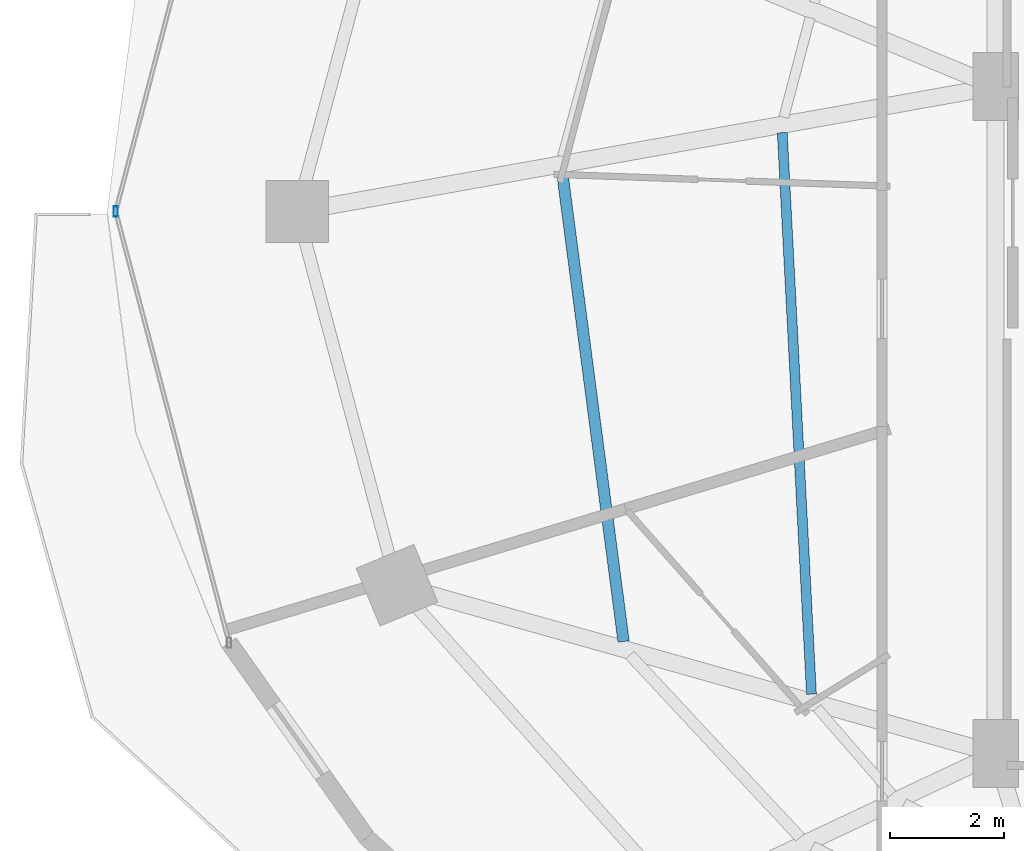
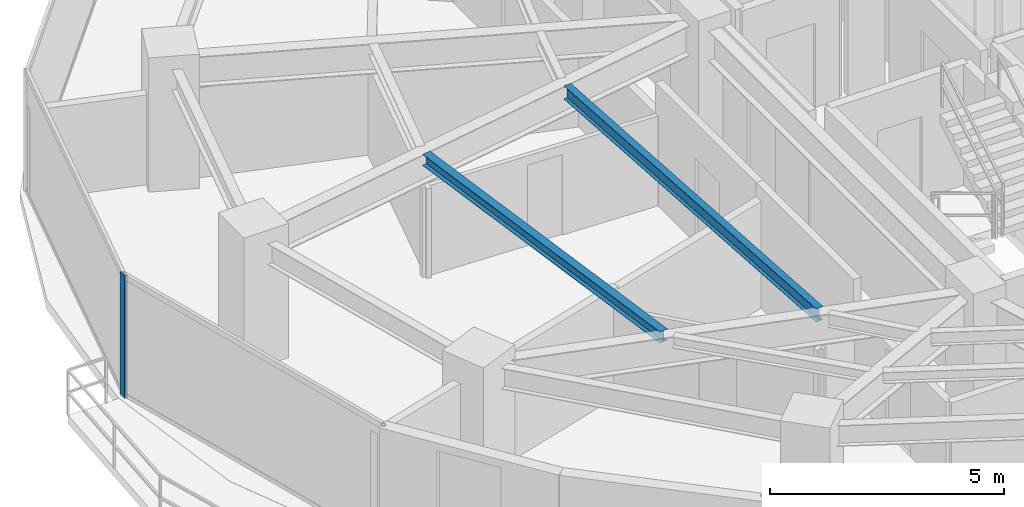
# One storey, part 7 of 29: 2 beams, 1 member, 1 element without a shape of its own.
"""IFC4 building model written with IfcOpenShell, lengths in metres."""

from ifc_helpers import new_model, si_unit, direction, frame, origin, origin_2d, place, context, subcontext, project, spatial, hollow_rectangle, i_section, extrude, material, material_profile, profile_set, type_object, element, aggregate, save


model = new_model("IFC4")

# Units and contexts
model_context = context("Model", 3, precision=1e-05, world=origin(), true_north=direction((0.0, 1.0)))
body_context = subcontext(model_context, "Body", "Model", "MODEL_VIEW")
ifc_project = project(units=[si_unit("LENGTHUNIT", "METRE"), si_unit("AREAUNIT", "SQUARE_METRE"), si_unit("VOLUMEUNIT", "CUBIC_METRE"), si_unit("PLANEANGLEUNIT", "RADIAN"), si_unit("MASSUNIT", "GRAM", prefix="KILO")], contexts=[model_context])

# Site, building, storey
site_placement = place(None, origin())
site = spatial("IfcSite", under=ifc_project, at=site_placement, CompositionType="ELEMENT")
building_placement = place(site_placement, origin())
building = spatial("IfcBuilding", under=site, at=building_placement, Name="Vorneva Point Tower", CompositionType="ELEMENT")
storey_placement = place(building_placement, frame((0.0, 0.0, 120.800048828125)))
storey = spatial("IfcBuildingStorey", under=building, at=storey_placement, Name="L32", CompositionType="ELEMENT", Elevation=120.800048828125)

# Beams
ifc_material_1 = material(Name="Steel S355", Category="steel")
ifc_material_profile_1 = material_profile(ifc_material_1, i_section(OverallWidth=0.199951171875, OverallDepth=0.291015625, WebThickness=0.008056640625, FlangeThickness=0.010986328125, at=origin_2d()), Name="30Sh1")
ifc_profile_set_1 = profile_set([ifc_material_profile_1], Name="Steel S355")
beam_type_1 = type_object("IfcBeamType", Name="BM-SEC-30Sh1", PredefinedType="BEAM", material=ifc_profile_set_1)
beam_1_placement = place(storey_placement, frame((19.614501953125, 26.694091796875, 3.00439453125), z_axis=(0.129791026269, -0.991541370544, 0.0), x_axis=(0.991541370544, 0.129791026269, 0.0)))
element("IfcBeam", 1, at=beam_1_placement, inside=storey, type_object=beam_type_1, Name="L32 Secondary Floor Beam 1.09", PredefinedType="BEAM", context=body_context, shape_type="SweptSolid", body=[
    extrude(i_section(OverallWidth=0.199951171875, OverallDepth=0.291015625, WebThickness=0.008056640625, FlangeThickness=0.010986328125, at=origin_2d()), origin(), (0.0, 0.0, 1.0), 8.338623046875),
])
ifc_material_profile_2 = material_profile(ifc_material_1, i_section(OverallWidth=0.174072265625, OverallDepth=0.345947265625, WebThickness=0.006103515625, FlangeThickness=0.009033203125, at=origin_2d()), Name="35B1")
ifc_profile_set_2 = profile_set([ifc_material_profile_2], Name="Steel S355")
beam_type_2 = type_object("IfcBeamType", Name="BM-SEC-35B1", PredefinedType="BEAM", material=ifc_profile_set_2)
beam_2_placement = place(storey_placement, frame((23.49169921875, 27.388671875, 2.97705078125), z_axis=(0.051893745783, -0.998652611847, 0.0), x_axis=(0.998652611847, 0.051893745783, 0.0)))
element("IfcBeam", 2, at=beam_2_placement, inside=storey, type_object=beam_type_2, Name="L32 Secondary Floor Beam 2.09", PredefinedType="BEAM", context=body_context, shape_type="SweptSolid", body=[
    extrude(i_section(OverallWidth=0.174072265625, OverallDepth=0.345947265625, WebThickness=0.006103515625, FlangeThickness=0.009033203125, at=origin_2d()), origin(), (0.0, 0.0, 1.0), 9.9033203125),
])

# Curtain wall, member
ifc_material_2 = material(Name="Pale anodised aluminium", Category="aluminium")
curtain_wall_type = type_object("IfcCurtainWallType", Name="CW-HTL-SYS", PredefinedType="NOTDEFINED", material=ifc_material_2)
curtain_wall_placement = place(storey_placement, origin())
curtain_wall = element("IfcCurtainWall", 3, at=curtain_wall_placement, inside=storey, type_object=curtain_wall_type, Name="L32 Unitised Curtain Wall CW-L32-R02", PredefinedType="NOTDEFINED")
ifc_material_profile_3 = material_profile(ifc_material_2, hollow_rectangle(XDim=0.074951171875, YDim=0.179931640625, WallThickness=0.00390625, at=origin_2d()), Name="AL-MUL 180x75x4")
ifc_profile_set_3 = profile_set([ifc_material_profile_3], Name="Pale anodised aluminium")
member_type = type_object("IfcMemberType", Name="CW-MUL-180", PredefinedType="MULLION", material=ifc_profile_set_3)
member_placement = place(storey_placement, frame((11.75, 26.0, -0.0400390625), z_axis=(0.0, 0.0, 1.0), x_axis=(1.0, 0.0, 0.0)))
member = element("IfcMember", 4, at=member_placement, type_object=member_type, Name="CW-L32-R02 Mullion 03", PredefinedType="MULLION", context=body_context, shape_type="SweptSolid", body=[
    extrude(hollow_rectangle(XDim=0.074951171875, YDim=0.179931640625, WallThickness=0.00390625, at=origin_2d()), origin(), (0.0, 0.0, 1.0), 3.219970703125),
])
aggregate(curtain_wall, [member])

save(model, "model.ifc")
